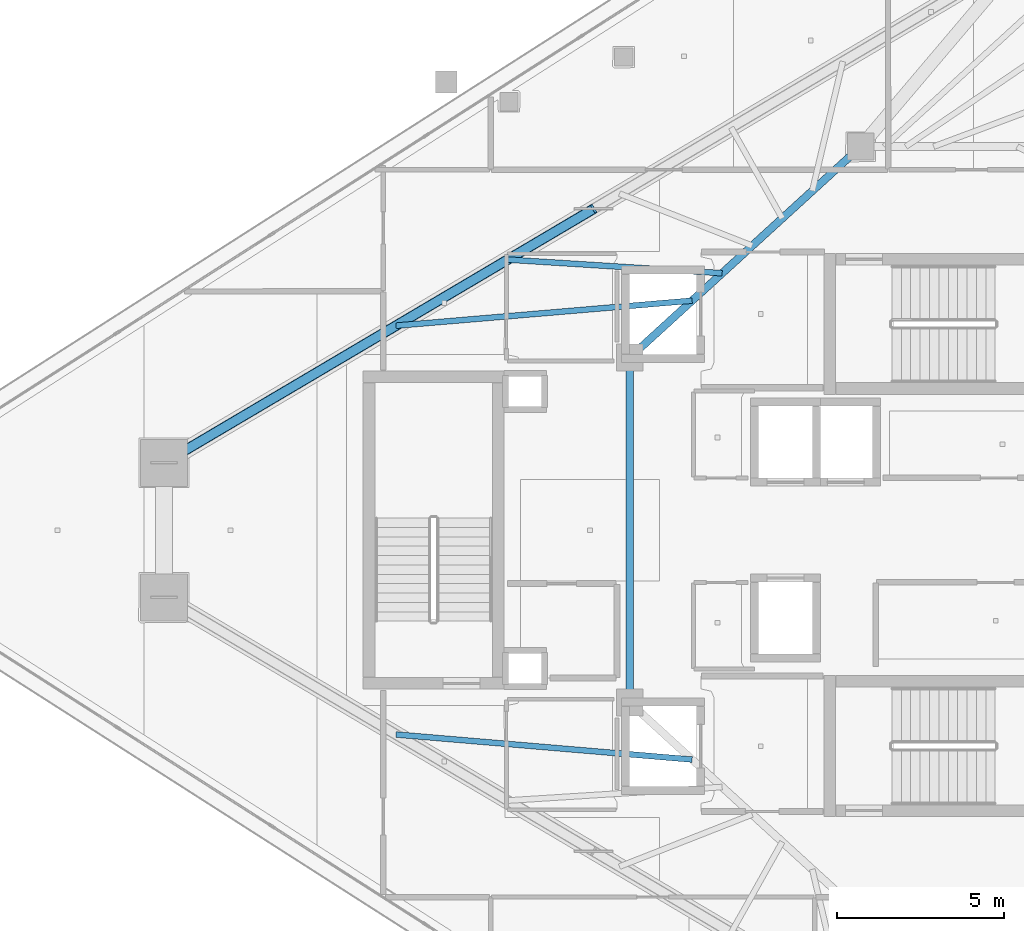
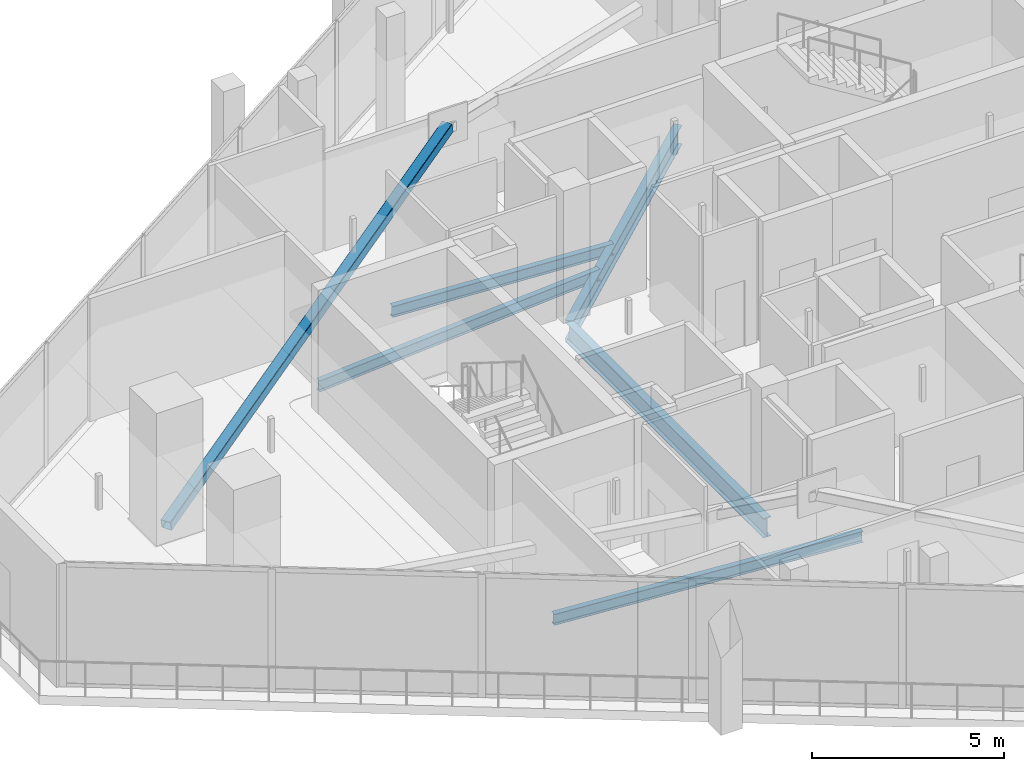
# One storey, part 8 of 30: 5 beams, 1 member.
"""IFC4 building model written with IfcOpenShell, lengths in metres."""

from ifc_helpers import new_model, si_unit, direction, frame, origin, origin_2d, place, context, subcontext, project, spatial, hollow_rectangle, i_section, extrude, material, material_profile, profile_set, type_object, element, save


model = new_model("IFC4")

# Units and contexts
model_context = context("Model", 3, precision=1e-05, world=origin(), true_north=direction((0.0, 1.0)))
body_context = subcontext(model_context, "Body", "Model", "MODEL_VIEW")
ifc_project = project(units=[si_unit("LENGTHUNIT", "METRE"), si_unit("AREAUNIT", "SQUARE_METRE"), si_unit("VOLUMEUNIT", "CUBIC_METRE"), si_unit("PLANEANGLEUNIT", "RADIAN"), si_unit("MASSUNIT", "GRAM", prefix="KILO")], contexts=[model_context])

# Site, building, storey
site_placement = place(None, origin())
site = spatial("IfcSite", under=ifc_project, at=site_placement, CompositionType="ELEMENT")
building_placement = place(site_placement, origin())
building = spatial("IfcBuilding", under=site, at=building_placement, Name="Qorvath Tower", CompositionType="ELEMENT")
storey_placement = place(building_placement, frame((0.0, 0.0, 289.199951171875)))
storey = spatial("IfcBuildingStorey", under=building, at=storey_placement, Name="L67", CompositionType="ELEMENT", Elevation=289.199951171875)

# Beams
ifc_material_1 = material(Name="Steel ASTM A992 Grade 50", Category="steel")
ifc_material_profile_1 = material_profile(ifc_material_1, i_section(OverallWidth=0.22998046875, OverallDepth=0.616943359375, WebThickness=0.01318359375, FlangeThickness=0.022216796875, FilletRadius=0.014892578125, at=origin_2d()), Name="W24x94")
ifc_profile_set_1 = profile_set([ifc_material_profile_1], Name="Steel ASTM A992 Grade 50")
beam_type_1 = type_object("IfcBeamType", Name="BM-FG6", PredefinedType="BEAM", material=ifc_profile_set_1)
beam_1_placement = place(storey_placement, frame((-30.5, -5.14990234375, -0.5986328125), z_axis=(0.0, 1.0, 0.0), x_axis=(-1.0, 0.0, 0.0)))
element("IfcBeam", 1, at=beam_1_placement, inside=storey, type_object=beam_type_1, Name="Core Ring Girder CC6-CC5 L67", PredefinedType="BEAM", context=body_context, shape_type="SweptSolid", body=[
    extrude(i_section(OverallWidth=0.22998046875, OverallDepth=0.616943359375, WebThickness=0.01318359375, FlangeThickness=0.022216796875, FilletRadius=0.014892578125, at=origin_2d()), origin(), (0.0, 0.0, 1.0), 10.2998046875),
])
beam_2_placement = place(storey_placement, frame((-30.5, 5.14990234375, -0.5986328125), z_axis=(0.73847813985, 0.6742774184, 0.0), x_axis=(-0.6742774184, 0.73847813985, 0.0)))
element("IfcBeam", 2, at=beam_2_placement, inside=storey, type_object=beam_type_1, Name="Core Ring Girder CC5-CC1 L67", PredefinedType="BEAM", context=body_context, shape_type="SweptSolid", body=[
    extrude(i_section(OverallWidth=0.22998046875, OverallDepth=0.616943359375, WebThickness=0.01318359375, FlangeThickness=0.022216796875, FilletRadius=0.014892578125, at=origin_2d()), origin(), (0.0, 0.0, 1.0), 9.343505859375),
])
ifc_material_2 = material(Name="Steel ASTM A992 Grade 50", Category="steel")
ifc_material_profile_2 = material_profile(ifc_material_2, i_section(OverallWidth=0.1708984375, OverallDepth=0.35107421875, WebThickness=0.0068359375, FlangeThickness=0.009765625, FilletRadius=0.010009765625, at=origin_2d()), Name="W14x30")
ifc_profile_set_2 = profile_set([ifc_material_profile_2], Name="Steel ASTM A992 Grade 50")
beam_type_2 = type_object("IfcBeamType", Name="BM-FJ4", PredefinedType="JOIST", material=ifc_profile_set_2)
beam_3_placement = place(storey_placement, frame((-28.636962890625, 6.85107421875, -0.465576171875), z_axis=(-0.996436150147, -0.084350451576, 0.0), x_axis=(0.084350451576, -0.996436150147, 0.0)))
element("IfcBeam", 3, at=beam_3_placement, inside=storey, type_object=beam_type_2, Name="Composite Floor Joist NW2 L67", PredefinedType="JOIST", context=body_context, shape_type="SweptSolid", body=[
    extrude(i_section(OverallWidth=0.1708984375, OverallDepth=0.35107421875, WebThickness=0.0068359375, FlangeThickness=0.009765625, FilletRadius=0.010009765625, at=origin_2d()), origin(), (0.0, 0.0, 1.0), 8.87109375),
])
beam_4_placement = place(storey_placement, frame((-27.739990234375, 7.669921875, -0.465576171875), z_axis=(-0.998006998641, 0.063103333222, 0.0), x_axis=(-0.063103333222, -0.998006998641, 0.0)))
element("IfcBeam", 4, at=beam_4_placement, inside=storey, type_object=beam_type_2, Name="Composite Floor Joist NW3 L67", PredefinedType="JOIST", context=body_context, shape_type="SweptSolid", body=[
    extrude(i_section(OverallWidth=0.1708984375, OverallDepth=0.35107421875, WebThickness=0.0068359375, FlangeThickness=0.009765625, FilletRadius=0.010009765625, at=origin_2d()), origin(), (0.0, 0.0, 1.0), 6.41455078125),
])
beam_5_placement = place(storey_placement, frame((-28.636962890625, -6.85107421875, -0.465576171875), z_axis=(-0.996436150147, 0.084350451576, 0.0), x_axis=(-0.084350451576, -0.996436150147, 0.0)))
element("IfcBeam", 5, at=beam_5_placement, inside=storey, type_object=beam_type_2, Name="Composite Floor Joist SW2 L67", PredefinedType="JOIST", context=body_context, shape_type="SweptSolid", body=[
    extrude(i_section(OverallWidth=0.1708984375, OverallDepth=0.35107421875, WebThickness=0.0068359375, FlangeThickness=0.009765625, FilletRadius=0.010009765625, at=origin_2d()), origin(), (0.0, 0.0, 1.0), 8.87109375),
])

# Member
ifc_material_3 = material(Name="Steel ASTM A500 Grade C", Category="steel")
ifc_material_profile_3 = material_profile(ifc_material_3, hollow_rectangle(XDim=0.3046875, YDim=0.3046875, WallThickness=0.0126953125, InnerFilletRadius=0.0126953125, OuterFilletRadius=0.025390625, at=origin_2d()), Name="HSS 305x305x12.7")
ifc_profile_set_3 = profile_set([ifc_material_profile_3], Name="Steel ASTM A500 Grade C")
member_type = type_object("IfcMemberType", Name="MEM-MB3", PredefinedType="BRACE", material=ifc_profile_set_3)
member_placement = place(storey_placement, frame((-44.402587890625, 2.007568359375, 0.0), z_axis=(0.837214286782, 0.495045676303, 0.232383339295), x_axis=(-0.508979354273, 0.860778727039, 0.0)))
element("IfcMember", 6, at=member_placement, inside=storey, type_object=member_type, Name="Perimeter Chevron Brace L67-1B", PredefinedType="BRACE", context=body_context, shape_type="SweptSolid", body=[
    extrude(hollow_rectangle(XDim=0.3046875, YDim=0.3046875, WallThickness=0.0126953125, InnerFilletRadius=0.0126953125, OuterFilletRadius=0.025390625, at=origin_2d()), origin(), (0.0, 0.0, 1.0), 15.31982421875),
])

save(model, "model.ifc")
